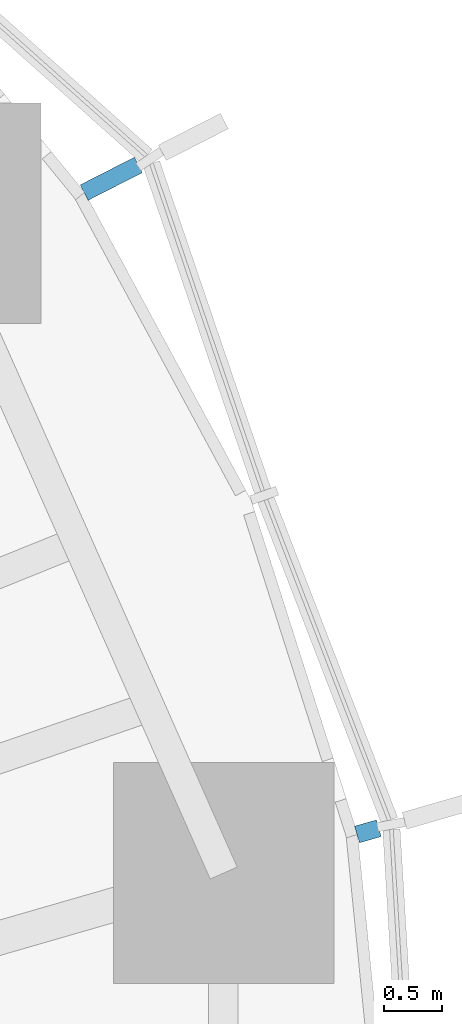
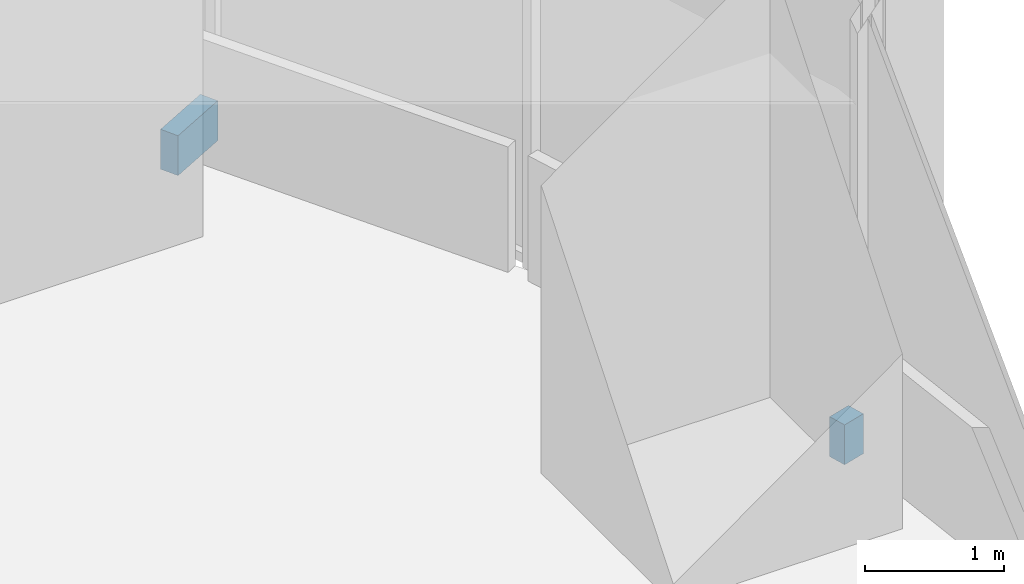
# One storey, part 16 of 20: 2 discrete accessories.
"""IFC4 building model written with IfcOpenShell, lengths in metres."""

from ifc_helpers import new_model, si_unit, direction, frame, origin, origin_2d, place, context, subcontext, project, spatial, rectangle, extrude, material, type_object, element, save


model = new_model("IFC4")

# Units and contexts
model_context = context("Model", 3, precision=1e-05, world=origin(), true_north=direction((0.0, 1.0)))
body_context = subcontext(model_context, "Body", "Model", "MODEL_VIEW")
ifc_project = project(units=[si_unit("LENGTHUNIT", "METRE"), si_unit("AREAUNIT", "SQUARE_METRE"), si_unit("VOLUMEUNIT", "CUBIC_METRE"), si_unit("PLANEANGLEUNIT", "RADIAN"), si_unit("MASSUNIT", "GRAM", prefix="KILO")], contexts=[model_context])

# Site, building, storey
site_placement = place(None, origin())
site = spatial("IfcSite", under=ifc_project, at=site_placement, CompositionType="ELEMENT")
building_placement = place(site_placement, origin())
building = spatial("IfcBuilding", under=site, at=building_placement, Name="Ghaith Harvest Tower", CompositionType="ELEMENT")
storey_placement = place(building_placement, frame((0.0, 0.0, 109.199951171875)))
storey = spatial("IfcBuildingStorey", under=building, at=storey_placement, Name="L22", CompositionType="ELEMENT", Elevation=109.199951171875)

# Discrete accessories
ifc_material_1 = material(Name="Stainless steel grade 1.4401", Category="steel")
discrete_accessory_type_1 = type_object("IfcDiscreteAccessoryType", Name="CURTAIN WALL BRACKET 195", PredefinedType="BRACKET", material=ifc_material_1)
discrete_accessory_1_placement = place(storey_placement, frame((30.528076171875, 8.8232421875, -0.25), z_axis=(0.0, 0.0, 1.0), x_axis=(0.960680349985, 0.277656739792, 0.0)))
element("IfcDiscreteAccessory", 1, at=discrete_accessory_1_placement, inside=storey, type_object=discrete_accessory_type_1, Name="CW-L bracket 1 bay 02 L22", PredefinedType="BRACKET", context=body_context, shape_type="SweptSolid", body=[
    extrude(rectangle(XDim=0.195068359375, YDim=0.14990234375, at=origin_2d()), origin(), (0.0, 0.0, 1.0), 0.35009765625),
])
ifc_material_2 = material(Name="Stainless steel grade 1.4401", Category="steel")
discrete_accessory_type_2 = type_object("IfcDiscreteAccessoryType", Name="CURTAIN WALL BRACKET 525", PredefinedType="BRACKET", material=ifc_material_2)
discrete_accessory_2_placement = place(storey_placement, frame((28.318115234375, 14.442626953125, -0.25), z_axis=(0.0, 0.0, 1.0), x_axis=(0.890830752257, 0.454335306611, 0.0)))
element("IfcDiscreteAccessory", 2, at=discrete_accessory_2_placement, inside=storey, type_object=discrete_accessory_type_2, Name="CW-L bracket 3 bay 02 L22", PredefinedType="BRACKET", context=body_context, shape_type="SweptSolid", body=[
    extrude(rectangle(XDim=0.52490234375, YDim=0.14990234375, at=origin_2d()), origin(), (0.0, 0.0, 1.0), 0.35009765625),
])

save(model, "model.ifc")
